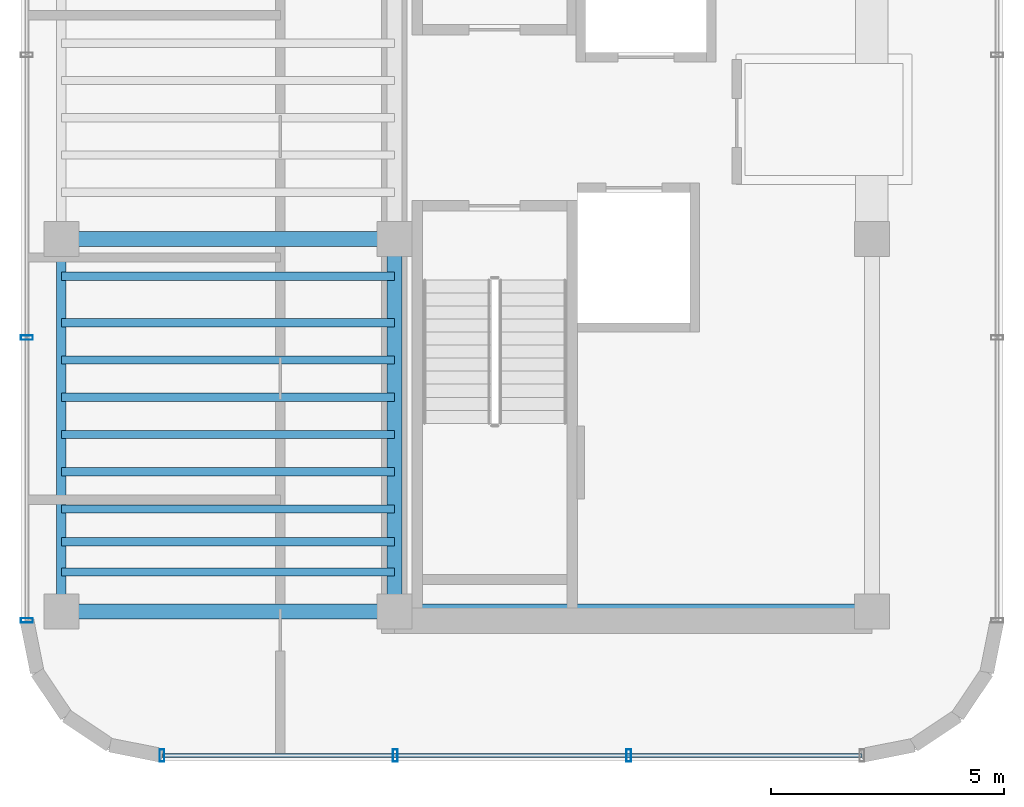
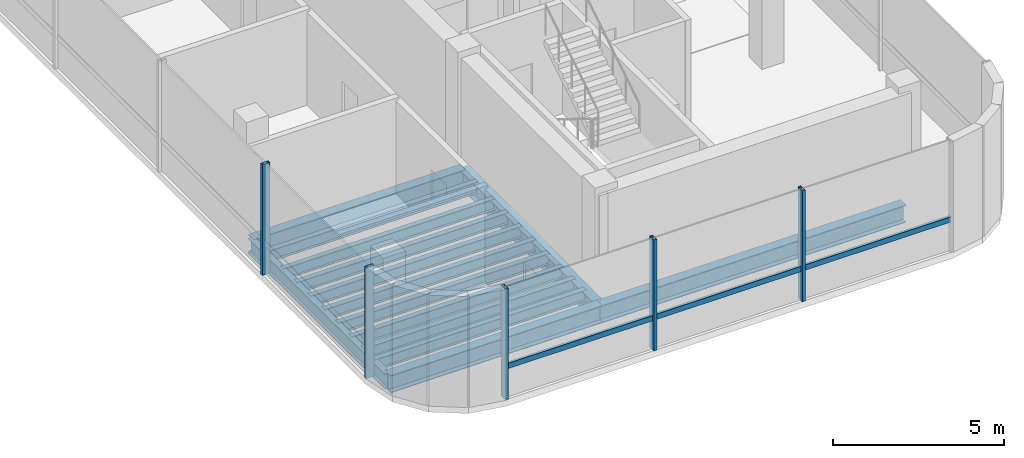
# One storey, part 2 of 11: 14 beams, 6 members, 2 elements without a shape of their own.
"""IFC4 building model written with IfcOpenShell, lengths in metres."""

from ifc_helpers import new_model, si_unit, direction, frame, origin, origin_2d, place, context, subcontext, project, spatial, hollow_rectangle, i_section, extrude, source, transform, mapped, material, material_profile, profile_set, type_object, element, aggregate, save


model = new_model("IFC4")

# Units and contexts
model_context = context("Model", 3, precision=1e-05, world=origin(), true_north=direction((0.0, 1.0)))
body_context = subcontext(model_context, "Body", "Model", "MODEL_VIEW")
ifc_project = project(units=[si_unit("LENGTHUNIT", "METRE"), si_unit("AREAUNIT", "SQUARE_METRE"), si_unit("VOLUMEUNIT", "CUBIC_METRE"), si_unit("PLANEANGLEUNIT", "RADIAN"), si_unit("MASSUNIT", "GRAM", prefix="KILO")], contexts=[model_context])

# Site, building, storey
site_placement = place(None, origin())
site = spatial("IfcSite", under=ifc_project, at=site_placement, CompositionType="ELEMENT")
building_placement = place(site_placement, origin())
building = spatial("IfcBuilding", under=site, at=building_placement, Name="Valdorenza Pilgrim Sanctuary Tower", CompositionType="ELEMENT")
storey_placement = place(building_placement, frame((0.0, 0.0, 299.39990234375)))
storey = spatial("IfcBuildingStorey", under=building, at=storey_placement, Name="L78", CompositionType="ELEMENT", Elevation=299.39990234375)

# Beams
ifc_material_1 = material(Name="Steel ASTM A992 Grade 50", Category="steel")
ifc_material_profile_1 = material_profile(ifc_material_1, i_section(OverallWidth=0.323974609375, OverallDepth=0.611083984375, WebThickness=0.0126953125, FlangeThickness=0.01904296875, at=origin_2d()), Name="W24X104")
ifc_profile_set_1 = profile_set([ifc_material_profile_1], Name="Steel ASTM A992 Grade 50")
beam_type_1 = type_object("IfcBeamType", Name="STR-BM-GRD-W24B", PredefinedType="BEAM", material=ifc_profile_set_1)
shared_shape_1 = source(origin(), body_context, "Body", "SweptSolid", [
    extrude(i_section(OverallWidth=0.323974609375, OverallDepth=0.611083984375, WebThickness=0.0126953125, FlangeThickness=0.01904296875, at=origin_2d()), origin(), (0.0, 0.0, 1.0), 8.0),
])
beam_1_placement = place(storey_placement, frame((-22.64990234375, -10.60009765625, -0.54541015625), z_axis=(0.0, 1.0, 0.0), x_axis=(-1.0, 0.0, 0.0)))
element("IfcBeam", 1, at=beam_1_placement, inside=storey, type_object=beam_type_1, Name="L78 Core Tie Girder CA-W-S1M0", PredefinedType="BEAM", context=body_context, shape_type="MappedRepresentation", body=[
    mapped(shared_shape_1, transform((0.0, 0.0, 0.0), x_axis=(1.0, 0.0, 0.0), y_axis=(0.0, 1.0, 0.0), z_axis=(0.0, 0.0, 1.0), scale=1.0)),
])
ifc_material_profile_2 = material_profile(ifc_material_1, i_section(OverallWidth=0.2109375, OverallDepth=0.5390625, WebThickness=0.01171875, FlangeThickness=0.018798828125, at=origin_2d()), Name="W21X73")
ifc_profile_set_2 = profile_set([ifc_material_profile_2], Name="Steel ASTM A992 Grade 50")
beam_type_2 = type_object("IfcBeamType", Name="STR-BM-SPN-W21B", PredefinedType="SPANDREL", material=ifc_profile_set_2)
shared_shape_2 = source(origin(), body_context, "Body", "SweptSolid", [
    extrude(i_section(OverallWidth=0.2109375, OverallDepth=0.5390625, WebThickness=0.01171875, FlangeThickness=0.018798828125, at=origin_2d()), origin(), (0.0, 0.0, 1.0), 8.0),
])
beam_2_placement = place(storey_placement, frame((-29.800048828125, -10.60009765625, -0.509521484375), z_axis=(0.0, 1.0, 0.0), x_axis=(-1.0, 0.0, 0.0)))
element("IfcBeam", 2, at=beam_2_placement, inside=storey, type_object=beam_type_2, Name="L78 Spandrel Beam WA-W-S1M0", PredefinedType="SPANDREL", context=body_context, shape_type="MappedRepresentation", body=[
    mapped(shared_shape_2, transform((0.0, 0.0, 0.0), x_axis=(1.0, 0.0, 0.0), y_axis=(0.0, 1.0, 0.0), z_axis=(0.0, 0.0, 1.0), scale=1.0)),
])
ifc_material_profile_3 = material_profile(ifc_material_1, i_section(OverallWidth=0.177978515625, OverallDepth=0.406005859375, WebThickness=0.0078125, FlangeThickness=0.0126953125, at=origin_2d()), Name="W16X40")
ifc_profile_set_3 = profile_set([ifc_material_profile_3], Name="Steel ASTM A992 Grade 50")
beam_type_3 = type_object("IfcBeamType", Name="STR-BM-JST-W16", PredefinedType="JOIST", material=ifc_profile_set_3)
shared_shape_3 = source(origin(), body_context, "Body", "SweptSolid", [
    extrude(i_section(OverallWidth=0.177978515625, OverallDepth=0.406005859375, WebThickness=0.0078125, FlangeThickness=0.0126953125, at=origin_2d()), origin(), (0.0, 0.0, 1.0), 7.150146484375),
])
for number, where, z_axis, x_axis, name in (
    (3, (-29.800048828125, -9.75, -0.44287109375), (1.0, 0.0, 0.0), (0.0, 1.0, 0.0), "L78 Composite Floor Joist JST-WA-1"),
    (4, (-29.800048828125, -9.10009765625, -0.44287109375), (1.0, 0.0, 0.0), (0.0, 1.0, 0.0), "L78 Composite Floor Joist JST-WA-2"),
    (5, (-29.800048828125, -8.39990234375, -0.44287109375), (1.0, 0.0, 0.0), (0.0, 1.0, 0.0), "L78 Composite Floor Joist JST-WA-3"),
    (6, (-29.800048828125, -7.60009765625, -0.44287109375), (1.0, 0.0, 0.0), (0.0, 1.0, 0.0), "L78 Composite Floor Joist JST-WA-4"),
    (7, (-29.800048828125, -6.800048828125, -0.44287109375), (1.0, 0.0, 0.0), (0.0, 1.0, 0.0), "L78 Composite Floor Joist JST-WA-5"),
    (8, (-29.800048828125, -6.0, -0.44287109375), (1.0, 0.0, 0.0), (0.0, 1.0, 0.0), "L78 Composite Floor Joist JST-WA-6"),
    (9, (-29.800048828125, -5.199951171875, -0.44287109375), (1.0, 0.0, 0.0), (0.0, 1.0, 0.0), "L78 Composite Floor Joist JST-WA-7"),
    (10, (-29.800048828125, -4.39990234375, -0.44287109375), (1.0, 0.0, 0.0), (0.0, 1.0, 0.0), "L78 Composite Floor Joist JST-WA-8"),
    (11, (-29.800048828125, -3.39990234375, -0.44287109375), (1.0, 0.0, 0.0), (0.0, 1.0, 0.0), "L78 Composite Floor Joist JST-WA-9"),
):
    element("IfcBeam", number, at=place(storey_placement, frame(where, z_axis=z_axis, x_axis=x_axis)), inside=storey, type_object=beam_type_3, Name=name, PredefinedType="JOIST", context=body_context, shape_type="MappedRepresentation", body=[
        mapped(shared_shape_3, transform((0.0, 0.0, 0.0), x_axis=(1.0, 0.0, 0.0), y_axis=(0.0, 1.0, 0.0), z_axis=(0.0, 0.0, 1.0), scale=1.0)),
    ])
ifc_material_profile_4 = material_profile(ifc_material_1, i_section(OverallWidth=0.326904296875, OverallDepth=0.6220703125, WebThickness=0.015380859375, FlangeThickness=0.0244140625, at=origin_2d()), Name="W24X131")
ifc_profile_set_4 = profile_set([ifc_material_profile_4], Name="Steel ASTM A992 Grade 50")
beam_type_4 = type_object("IfcBeamType", Name="STR-BM-GRD-W24A", PredefinedType="BEAM", material=ifc_profile_set_4)
shared_shape_4 = source(origin(), body_context, "Body", "SweptSolid", [
    extrude(i_section(OverallWidth=0.326904296875, OverallDepth=0.6220703125, WebThickness=0.015380859375, FlangeThickness=0.0244140625, at=origin_2d()), origin(), (0.0, 0.0, 1.0), 7.150146484375),
])
for number, where, z_axis, x_axis, name in (
    (12, (-29.800048828125, -10.60009765625, -0.55078125), (1.0, 0.0, 0.0), (0.0, 1.0, 0.0), "L78 Floor Girder WA-XW-S1"),
    (13, (-29.800048828125, -2.60009765625, -0.55078125), (1.0, 0.0, 0.0), (0.0, 1.0, 0.0), "L78 Floor Girder WA-XW-M0"),
):
    element("IfcBeam", number, at=place(storey_placement, frame(where, z_axis=z_axis, x_axis=x_axis)), inside=storey, type_object=beam_type_4, Name=name, PredefinedType="BEAM", context=body_context, shape_type="MappedRepresentation", body=[
        mapped(shared_shape_4, transform((0.0, 0.0, 0.0), x_axis=(1.0, 0.0, 0.0), y_axis=(0.0, 1.0, 0.0), z_axis=(0.0, 0.0, 1.0), scale=1.0)),
    ])
shared_shape_5 = source(origin(), body_context, "Body", "SweptSolid", [
    extrude(i_section(OverallWidth=0.326904296875, OverallDepth=0.6220703125, WebThickness=0.015380859375, FlangeThickness=0.0244140625, at=origin_2d()), origin(), (0.0, 0.0, 1.0), 10.25),
])
beam_3_placement = place(storey_placement, frame((-22.64990234375, -10.60009765625, -0.55078125), z_axis=(1.0, 0.0, 0.0), x_axis=(0.0, 1.0, 0.0)))
element("IfcBeam", 14, at=beam_3_placement, inside=storey, type_object=beam_type_4, Name="L78 Floor Girder CA-XC-S1", PredefinedType="BEAM", context=body_context, shape_type="MappedRepresentation", body=[
    mapped(shared_shape_5, transform((0.0, 0.0, 0.0), x_axis=(1.0, 0.0, 0.0), y_axis=(0.0, 1.0, 0.0), z_axis=(0.0, 0.0, 1.0), scale=1.0)),
])

# Curtain wall, member
ifc_material_2 = material(Name="Curtain-wall IGU glazing", Category="glass")
curtain_wall_type = type_object("IfcCurtainWallType", Name="CW-SYS-06", PredefinedType="NOTDEFINED", material=ifc_material_2)
curtain_wall_1_placement = place(storey_placement, origin())
curtain_wall_1 = element("IfcCurtainWall", 15, at=curtain_wall_1_placement, inside=storey, type_object=curtain_wall_type, Name="L78 Curtain Wall CW-L78-1-16", PredefinedType="NOTDEFINED")
ifc_material_3 = material(Name="Anodised aluminium AW-6060", Category="aluminium")
ifc_material_profile_5 = material_profile(ifc_material_3, hollow_rectangle(XDim=0.090087890625, YDim=0.18994140625, WallThickness=0.00439453125, at=origin_2d()), Name="ALU-T 190x90x4.5")
ifc_profile_set_5 = profile_set([ifc_material_profile_5], Name="Anodised aluminium AW-6060")
member_type_1 = type_object("IfcMemberType", Name="CW-TRN-06", PredefinedType="USERDEFINED", material=ifc_profile_set_5)
shared_shape_6 = source(origin(), body_context, "Body", "SweptSolid", [
    extrude(hollow_rectangle(XDim=0.090087890625, YDim=0.18994140625, WallThickness=0.00439453125, at=origin_2d()), origin(), (0.0, 0.0, 1.0), 15.0283203125),
])
member_1_placement = place(storey_placement, frame((-12.61083984375, -13.68994140625, 1.1201171875), z_axis=(-1.0, 0.0, 0.0), x_axis=(0.0, -1.0, 0.0)))
member_1 = element("IfcMember", 16, at=member_1_placement, type_object=member_type_1, Name="CW-L78-1-16 Transom 1", ObjectType="TRANSOM", PredefinedType="USERDEFINED", context=body_context, shape_type="MappedRepresentation", body=[
    mapped(shared_shape_6, transform((0.0, 0.0, 0.0), x_axis=(1.0, 0.0, 0.0), y_axis=(0.0, 1.0, 0.0), z_axis=(0.0, 0.0, 1.0), scale=1.0)),
])

# Curtain wall, members
curtain_wall_2_placement = place(storey_placement, origin())
curtain_wall_2 = element("IfcCurtainWall", 17, at=curtain_wall_2_placement, inside=storey, type_object=curtain_wall_type, Name="L78 Curtain Wall CW-L78-1-1", PredefinedType="NOTDEFINED")
ifc_material_profile_6 = material_profile(ifc_material_3, hollow_rectangle(XDim=0.10009765625, YDim=0.260009765625, WallThickness=0.006103515625, at=origin_2d()), Name="ALU-M 260x100x6")
ifc_profile_set_6 = profile_set([ifc_material_profile_6], Name="Anodised aluminium AW-6060")
member_type_2 = type_object("IfcMemberType", Name="CW-MUL-06", PredefinedType="MULLION", material=ifc_profile_set_6)
shared_shape_7 = source(origin(), body_context, "Body", "SweptSolid", [
    extrude(hollow_rectangle(XDim=0.10009765625, YDim=0.260009765625, WallThickness=0.006103515625, at=origin_2d()), origin(), (0.0, 0.0, 1.0), 3.960205078125),
])
member_2_placement = place(storey_placement, frame((-30.5400390625, -10.789306640625, 0.0), z_axis=(0.0, 0.0, 1.0), x_axis=(0.0, 1.0, 0.0)))
member_2 = element("IfcMember", 18, at=member_2_placement, type_object=member_type_2, Name="CW-L78-1-1 Mullion 1", PredefinedType="MULLION", context=body_context, shape_type="MappedRepresentation", body=[
    mapped(shared_shape_7, transform((0.0, 0.0, 0.0), x_axis=(1.0, 0.0, 0.0), y_axis=(0.0, 1.0, 0.0), z_axis=(0.0, 0.0, 1.0), scale=1.0)),
])
member_3_placement = place(storey_placement, frame((-30.5400390625, -4.719482421875, 0.0), z_axis=(0.0, 0.0, 1.0), x_axis=(0.0, 1.0, 0.0)))
member_3 = element("IfcMember", 19, at=member_3_placement, type_object=member_type_2, Name="CW-L78-1-1 Mullion 2", PredefinedType="MULLION", context=body_context, shape_type="MappedRepresentation", body=[
    mapped(shared_shape_7, transform((0.0, 0.0, 0.0), x_axis=(1.0, 0.0, 0.0), y_axis=(0.0, 1.0, 0.0), z_axis=(0.0, 0.0, 1.0), scale=1.0)),
])
aggregate(curtain_wall_2, [member_2, member_3])

# Member
member_4_placement = place(storey_placement, frame((-17.620361328125, -13.68994140625, 0.0), z_axis=(0.0, 0.0, 1.0), x_axis=(-1.0, 0.0, 0.0)))
member_4 = element("IfcMember", 20, at=member_4_placement, type_object=member_type_2, Name="CW-L78-1-16 Mullion 2", PredefinedType="MULLION", context=body_context, shape_type="MappedRepresentation", body=[
    mapped(shared_shape_7, transform((0.0, 0.0, 0.0), x_axis=(1.0, 0.0, 0.0), y_axis=(0.0, 1.0, 0.0), z_axis=(0.0, 0.0, 1.0), scale=1.0)),
])

member_5_placement = place(storey_placement, frame((-22.629638671875, -13.68994140625, 0.0), z_axis=(0.0, 0.0, 1.0), x_axis=(-1.0, 0.0, 0.0)))
member_5 = element("IfcMember", 21, at=member_5_placement, type_object=member_type_2, Name="CW-L78-1-16 Mullion 3", PredefinedType="MULLION", context=body_context, shape_type="MappedRepresentation", body=[
    mapped(shared_shape_7, transform((0.0, 0.0, 0.0), x_axis=(1.0, 0.0, 0.0), y_axis=(0.0, 1.0, 0.0), z_axis=(0.0, 0.0, 1.0), scale=1.0)),
])

member_6_placement = place(storey_placement, frame((-27.63916015625, -13.68994140625, 0.0), z_axis=(0.0, 0.0, 1.0), x_axis=(-1.0, 0.0, 0.0)))
member_6 = element("IfcMember", 22, at=member_6_placement, type_object=member_type_2, Name="CW-L78-1-16 Mullion 4", PredefinedType="MULLION", context=body_context, shape_type="MappedRepresentation", body=[
    mapped(shared_shape_7, transform((0.0, 0.0, 0.0), x_axis=(1.0, 0.0, 0.0), y_axis=(0.0, 1.0, 0.0), z_axis=(0.0, 0.0, 1.0), scale=1.0)),
])

aggregate(curtain_wall_1, [member_4, member_5, member_6, member_1])

save(model, "model.ifc")
